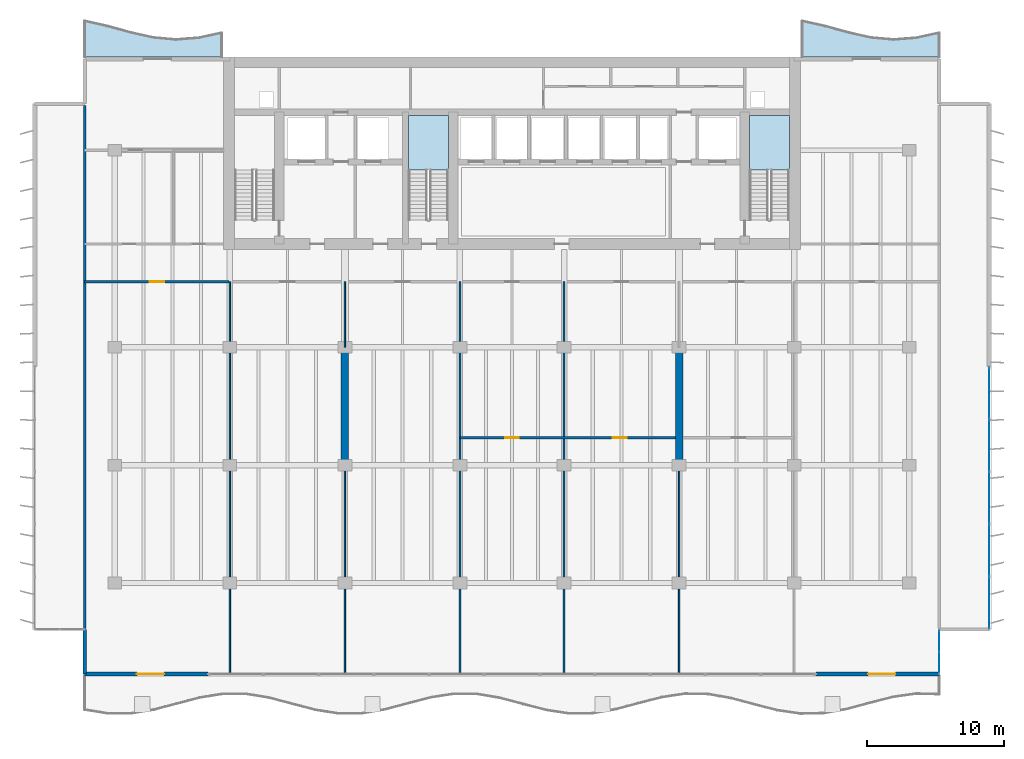
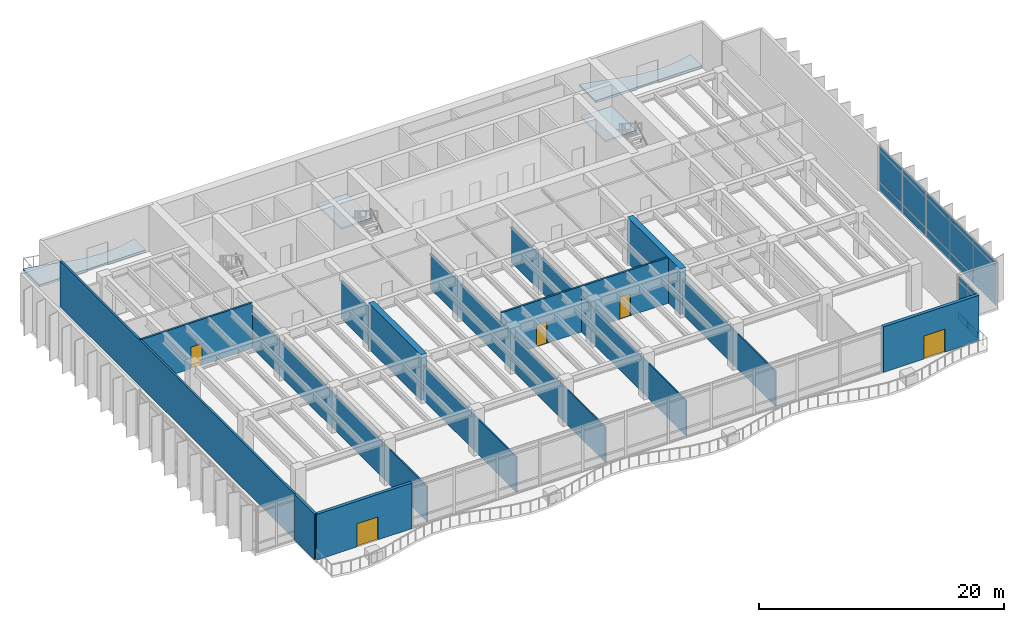
# One storey, part 8 of 16: 21 plates, 14 walls, 5 doors, 4 slabs, 5 openings, 4 elements without a shape of their own.
"""IFC4 building model written with IfcOpenShell, lengths in metres."""

import ifcopenshell
import ifcopenshell.guid

model = None  # the IFC model being written
_history = None  # IfcOwnerHistory: only IFC2X3 demands one
_inside = {}  # id of a spatial element -> (the spatial element, [elements in it])
_under = {}  # id of a project, library or spatial element -> (it, [spatial elements below it])
_declared = {}  # id of a project -> (the project, [libraries it declares])
_typed = {}  # id of a type object -> (the type object, [elements of that type])
_made_of = {}  # id of a material, layer set ... -> (it, [elements and type objects made of it])


def new_model(schema):
    """Start an empty IFC model of exactly this schema.

    Asked for "IFC4X3", IfcOpenShell would pick the latest addendum, in which some entities
    have other attributes; the version numbers below select the first issue.
    IFC2X3 requires an IfcOwnerHistory on every rooted entity: one is made here for all.
    """
    global model, _history
    if schema == "IFC4X3":
        model = ifcopenshell.file(schema_version=(4, 3, 0, 0))
    else:
        model = ifcopenshell.file(schema=schema)
    _inside.clear()
    _under.clear()
    _declared.clear()
    _typed.clear()
    _made_of.clear()
    _history = None
    if model.schema == "IFC2X3":
        org = make("IfcOrganization", Name="unknown")
        user = make(
            "IfcPersonAndOrganization",
            ThePerson=make("IfcPerson", FamilyName="unknown"),
            TheOrganization=org,
        )
        app = make(
            "IfcApplication",
            ApplicationDeveloper=org,
            Version="unknown",
            ApplicationFullName="unknown",
            ApplicationIdentifier="unknown",
        )
        _history = make(
            "IfcOwnerHistory",
            OwningUser=user,
            OwningApplication=app,
            ChangeAction="ADDED",
            CreationDate=0,
        )
    return model


def make(cls, **values):
    """One entity of the class cls with the attributes given. An attribute that is None is left unset."""
    return model.create_entity(
        cls, **{name: value for name, value in values.items() if value is not None}
    )


def rooted(cls, **values):
    """An entity with a GlobalId (a new one), such as an element, a storey or a relation."""
    return make(cls, GlobalId=ifcopenshell.guid.new(), OwnerHistory=_history, **values)


def si_unit(unit_type, name, prefix=None):
    """IfcSIUnit, for example si_unit("LENGTHUNIT", "METRE", prefix="MILLI")."""
    return make("IfcSIUnit", UnitType=unit_type, Prefix=prefix, Name=name)


def assignment(units):
    """IfcUnitAssignment: the units of a project."""
    return None if units is None else make("IfcUnitAssignment", Units=units)


def point(xyz):
    """IfcCartesianPoint."""
    return None if xyz is None else make("IfcCartesianPoint", Coordinates=xyz)


def direction(xyz):
    """IfcDirection."""
    return None if xyz is None else make("IfcDirection", DirectionRatios=xyz)


def frame(location, z_axis=None, x_axis=None):
    """IfcAxis2Placement3D, a coordinate frame: its origin and axes. An axis left out is left unset."""
    return make(
        "IfcAxis2Placement3D",
        Location=point(location),
        Axis=direction(z_axis),
        RefDirection=direction(x_axis),
    )


def frame_2d(location, x_axis=None):
    """IfcAxis2Placement2D, a coordinate frame in the plane: its origin and x axis."""
    return make(
        "IfcAxis2Placement2D", Location=point(location), RefDirection=direction(x_axis)
    )


def origin():
    """The frame at (0, 0, 0) with its axes left unset."""
    return frame((0.0, 0.0, 0.0))


def origin_2d():
    """The frame at (0, 0) in the plane with its x axis left unset."""
    return frame_2d((0.0, 0.0))


def place(relative_to, where):
    """IfcLocalPlacement: puts the frame where relative to a parent placement (None: the world)."""
    return make(
        "IfcLocalPlacement", PlacementRelTo=relative_to, RelativePlacement=where
    )


def context(
    kind, dimensions, precision=None, world=None, true_north=None, identifier=None
):
    """IfcGeometricRepresentationContext, for example the 3D "Model" context."""
    return make(
        "IfcGeometricRepresentationContext",
        ContextIdentifier=identifier,
        ContextType=kind,
        CoordinateSpaceDimension=dimensions,
        Precision=precision,
        WorldCoordinateSystem=world,
        TrueNorth=true_north,
    )


def subcontext(parent, identifier, kind, view, scale=None):
    """IfcGeometricRepresentationSubContext, for example "Body" below "Model"."""
    return make(
        "IfcGeometricRepresentationSubContext",
        ContextIdentifier=identifier,
        ContextType=kind,
        ParentContext=parent,
        TargetScale=scale,
        TargetView=view,
    )


def project(units=None, contexts=None):
    """IfcProject with its units and contexts."""
    return rooted(
        "IfcProject",
        Name="project",
        RepresentationContexts=contexts,
        UnitsInContext=assignment(units),
    )


def spatial(cls, under=None, at=None, **own):
    """A site, building, storey or space (cls), placed at a placement, below another one or the project."""
    s = rooted(cls, ObjectPlacement=at, **own)
    if under is not None:
        _under.setdefault(under.id(), (under, []))[1].append(s)
    return s


def polyline(points):
    """IfcPolyline through the points."""
    return make("IfcPolyline", Points=[point(p) for p in points])


def profile(cls, at=None, kind="AREA", **sizes):
    """A parametric profile (cls). Its sizes go by their IFC names, for example OverallWidth=200.0."""
    return make(cls, ProfileType=kind, Position=at, **sizes)


def rectangle(**sizes):
    """IfcRectangleProfileDef."""
    return profile("IfcRectangleProfileDef", **sizes)


def outline(outer, holes=None, kind="AREA"):
    """IfcArbitraryClosedProfileDef: a profile drawn as a closed curve; with holes, ...WithVoids."""
    if holes is None:
        return make("IfcArbitraryClosedProfileDef", ProfileType=kind, OuterCurve=outer)
    return make(
        "IfcArbitraryProfileDefWithVoids",
        ProfileType=kind,
        OuterCurve=outer,
        InnerCurves=holes,
    )


def extrude(swept, where, along, depth):
    """IfcExtrudedAreaSolid: the profile swept, set in the frame where, extruded along a direction by depth."""
    return make(
        "IfcExtrudedAreaSolid",
        SweptArea=swept,
        Position=where,
        ExtrudedDirection=direction(along),
        Depth=depth,
    )


def shape(context_of_items, identifier, shape_type, items):
    """IfcShapeRepresentation: the items that make up one representation, for example the "Body"."""
    return make(
        "IfcShapeRepresentation",
        ContextOfItems=context_of_items,
        RepresentationIdentifier=identifier,
        RepresentationType=shape_type,
        Items=items,
    )


def material(Name=None, Category=None):
    """IfcMaterial."""
    return make("IfcMaterial", Name=Name, Category=Category)


def layer(
    of_material, thickness, ventilated=None, Name=None, Category=None, Priority=None
):
    """IfcMaterialLayer: one layer of a wall or slab, of a material (None: an air gap)."""
    return make(
        "IfcMaterialLayer",
        Material=of_material,
        LayerThickness=thickness,
        IsVentilated=ventilated,
        Name=Name,
        Category=Category,
        Priority=Priority,
    )


def layer_set(layers, Name=None):
    """IfcMaterialLayerSet."""
    return make("IfcMaterialLayerSet", MaterialLayers=layers, LayerSetName=Name)


def made_of(thing, what):
    """Note that an element or type object is made of a material, layer set ...; save() writes the relation."""
    if what is not None:
        _made_of.setdefault(what.id(), (what, []))[1].append(thing)
    return thing


def type_object(cls, material=None, **own):
    """A type object (cls), such as IfcWallType, which elements share."""
    return made_of(rooted(cls, **own), material)


def element(
    cls,
    number,
    at=None,
    inside=None,
    cuts=None,
    type_object=None,
    material=None,
    context=None,
    identifier="Body",
    shape_type=None,
    held_by="IfcProductDefinitionShape",
    body=None,
    shapes=None,
    **own,
):
    """One element of the class cls, such as IfcWall. Its Tag is "e" and its number.

    at: its placement. inside: the storey or other place that contains it. cuts: it is an
    opening in that element (IfcRelVoidsElement). A single representation is given by context,
    identifier, shape_type and body (its items); several are given by shapes. held_by: the class
    of the entity that holds the representations. save() writes the other relations.
    """
    e = rooted(cls, Tag="e%d" % number, ObjectPlacement=at, **own)
    if body is not None:
        shapes = [shape(context, identifier, shape_type, body)]
    if shapes is not None:
        e.Representation = make(held_by, Representations=shapes)
    if inside is not None:
        _inside.setdefault(inside.id(), (inside, []))[1].append(e)
    if cuts is not None:
        rooted(
            "IfcRelVoidsElement", RelatingBuildingElement=cuts, RelatedOpeningElement=e
        )
    if type_object is not None:
        _typed.setdefault(type_object.id(), (type_object, []))[1].append(e)
    return made_of(e, material)


def fill(opening, filler):
    """IfcRelFillsElement: the door or window that sits in an opening."""
    return rooted(
        "IfcRelFillsElement",
        RelatingOpeningElement=opening,
        RelatedBuildingElement=filler,
    )


def aggregate(whole, parts):
    """IfcRelAggregates: a whole, such as a stair, and the parts it consists of."""
    return rooted("IfcRelAggregates", RelatingObject=whole, RelatedObjects=parts)


def save(model, path):
    """Write the relations noted so far, then the file.

    IfcRelAggregates (storeys below a building ...), IfcRelContainedInSpatialStructure (elements
    in a storey), IfcRelDefinesByType, IfcRelAssociatesMaterial and IfcRelDeclares: one each for
    every whole, place, type object, material and project.
    """
    for whole, parts in _under.values():
        aggregate(whole, parts)
    for where, things in _inside.values():
        rooted(
            "IfcRelContainedInSpatialStructure",
            RelatedElements=things,
            RelatingStructure=where,
        )
    for kind, things in _typed.values():
        rooted("IfcRelDefinesByType", RelatedObjects=things, RelatingType=kind)
    for what, things in _made_of.values():
        rooted("IfcRelAssociatesMaterial", RelatedObjects=things, RelatingMaterial=what)
    for by, libraries in _declared.values():
        rooted("IfcRelDeclares", RelatingContext=by, RelatedDefinitions=libraries)
    model.write(path)


model = new_model("IFC4")

# Units and contexts
model_context = context("Model", 3, precision=1e-05, world=origin(), true_north=direction((0.0, 1.0)))
body_context = subcontext(model_context, "Body", "Model", "MODEL_VIEW")
ifc_project = project(units=[si_unit("LENGTHUNIT", "METRE"), si_unit("AREAUNIT", "SQUARE_METRE"), si_unit("VOLUMEUNIT", "CUBIC_METRE"), si_unit("PLANEANGLEUNIT", "RADIAN"), si_unit("MASSUNIT", "GRAM", prefix="KILO")], contexts=[model_context])

# Site, building, storey
site_placement = place(None, origin())
site = spatial("IfcSite", under=ifc_project, at=site_placement, CompositionType="ELEMENT")
building_placement = place(site_placement, origin())
building = spatial("IfcBuilding", under=site, at=building_placement, Name="Caelmar Bay Residences", CompositionType="ELEMENT")
storey_placement = place(building_placement, frame((0.0, 0.0, 97.800048828125)))
storey = spatial("IfcBuildingStorey", under=building, at=storey_placement, Name="L26", CompositionType="ELEMENT", Elevation=97.800048828125)

# Curtain wall, plates
ifc_material_1 = material(Name="Anodised bronze aluminium 6063-T6 and laminated glass", Category="aluminium")
ifc_layer_1 = layer(ifc_material_1, 0.179931640625)
ifc_layer_set_1 = layer_set([ifc_layer_1], Name="Anodised bronze aluminium 6063-T6 and laminated glass")
curtain_wall_type_1 = type_object("IfcCurtainWallType", Name="CW6-NTC", PredefinedType="NOTDEFINED", material=ifc_layer_set_1)
curtain_wall_1_placement = place(storey_placement, origin())
curtain_wall_1 = element("IfcCurtainWall", 1, at=curtain_wall_1_placement, inside=storey, type_object=curtain_wall_type_1, Name="CW6 curtain wall L26", PredefinedType="NOTDEFINED")
ifc_material_2 = material(Name="Bronze-tinted laminated low-E hurricane glass 28 mm", Category="glass")
ifc_layer_2 = layer(ifc_material_2, 0.028076171875)
ifc_layer_set_2 = layer_set([ifc_layer_2], Name="Bronze-tinted laminated low-E hurricane glass 28 mm")
plate_type_1 = type_object("IfcPlateType", Name="CWP-GLZ28", PredefinedType="CURTAIN_PANEL", material=ifc_layer_set_2)
plate_1_placement = place(storey_placement, frame((70.10009765625, 6.382568359375, 0.080078125), z_axis=(0.0, 0.0, 1.0), x_axis=(0.0, 1.0, 0.0)))
plate_1 = element("IfcPlate", 2, at=plate_1_placement, type_object=plate_type_1, Name="CW6 panel 1.1", PredefinedType="CURTAIN_PANEL", context=body_context, shape_type="SweptSolid", body=[
    extrude(rectangle(XDim=1.5048828125, YDim=0.028076171875, at=origin_2d()), origin(), (0.0, 0.0, 1.0), 0.780029296875),
])
plate_2_placement = place(storey_placement, frame((70.10009765625, 6.382568359375, 0.93994140625), z_axis=(0.0, 0.0, 1.0), x_axis=(0.0, 1.0, 0.0)))
plate_2 = element("IfcPlate", 3, at=plate_2_placement, type_object=plate_type_1, Name="CW6 panel 1.2", PredefinedType="CURTAIN_PANEL", context=body_context, shape_type="SweptSolid", body=[
    extrude(rectangle(XDim=1.5048828125, YDim=0.028076171875, at=origin_2d()), origin(), (0.0, 0.0, 1.0), 3.02001953125),
])
plate_3_placement = place(storey_placement, frame((70.10009765625, 6.382568359375, 4.0400390625), z_axis=(0.0, 0.0, 1.0), x_axis=(0.0, 1.0, 0.0)))
plate_3 = element("IfcPlate", 4, at=plate_3_placement, type_object=plate_type_1, Name="CW6 panel 1.3", PredefinedType="CURTAIN_PANEL", context=body_context, shape_type="SweptSolid", body=[
    extrude(rectangle(XDim=1.5048828125, YDim=0.028076171875, at=origin_2d()), origin(), (0.0, 0.0, 1.0), 0.429931640625),
])
plate_4_placement = place(storey_placement, frame((70.10009765625, 7.967529296875, 0.080078125), z_axis=(0.0, 0.0, 1.0), x_axis=(0.0, 1.0, 0.0)))
plate_4 = element("IfcPlate", 5, at=plate_4_placement, type_object=plate_type_1, Name="CW6 panel 2.1", PredefinedType="CURTAIN_PANEL", context=body_context, shape_type="SweptSolid", body=[
    extrude(rectangle(XDim=1.5048828125, YDim=0.028076171875, at=origin_2d()), origin(), (0.0, 0.0, 1.0), 0.780029296875),
])
plate_5_placement = place(storey_placement, frame((70.10009765625, 7.967529296875, 0.93994140625), z_axis=(0.0, 0.0, 1.0), x_axis=(0.0, 1.0, 0.0)))
plate_5 = element("IfcPlate", 6, at=plate_5_placement, type_object=plate_type_1, Name="CW6 panel 2.2", PredefinedType="CURTAIN_PANEL", context=body_context, shape_type="SweptSolid", body=[
    extrude(rectangle(XDim=1.5048828125, YDim=0.028076171875, at=origin_2d()), origin(), (0.0, 0.0, 1.0), 3.02001953125),
])
plate_6_placement = place(storey_placement, frame((70.10009765625, 7.967529296875, 4.0400390625), z_axis=(0.0, 0.0, 1.0), x_axis=(0.0, 1.0, 0.0)))
plate_6 = element("IfcPlate", 7, at=plate_6_placement, type_object=plate_type_1, Name="CW6 panel 2.3", PredefinedType="CURTAIN_PANEL", context=body_context, shape_type="SweptSolid", body=[
    extrude(rectangle(XDim=1.5048828125, YDim=0.028076171875, at=origin_2d()), origin(), (0.0, 0.0, 1.0), 0.429931640625),
])
aggregate(curtain_wall_1, [plate_1, plate_2, plate_3, plate_4, plate_5, plate_6])

ifc_layer_3 = layer(ifc_material_1, 0.179931640625)
ifc_layer_set_3 = layer_set([ifc_layer_3], Name="Anodised bronze aluminium 6063-T6 and laminated glass")
curtain_wall_type_2 = type_object("IfcCurtainWallType", Name="CW7-CRN", PredefinedType="NOTDEFINED", material=ifc_layer_set_3)
curtain_wall_2_placement = place(storey_placement, origin())
curtain_wall_2 = element("IfcCurtainWall", 8, at=curtain_wall_2_placement, inside=storey, type_object=curtain_wall_type_2, Name="CW7 curtain wall L26", PredefinedType="NOTDEFINED")
ifc_material_3 = material(Name="Bronze-tinted laminated low-E hurricane glass 32 mm", Category="glass")
ifc_layer_4 = layer(ifc_material_3, 0.031982421875)
ifc_layer_set_4 = layer_set([ifc_layer_4], Name="Bronze-tinted laminated low-E hurricane glass 32 mm")
plate_type_2 = type_object("IfcPlateType", Name="CWP-GLZ32", PredefinedType="CURTAIN_PANEL", material=ifc_layer_set_4)
plate_7_placement = place(storey_placement, frame((73.75, 26.06005859375, 0.080078125), z_axis=(0.0, 0.0, 1.0), x_axis=(0.0, -1.0, 0.0)))
plate_7 = element("IfcPlate", 9, at=plate_7_placement, type_object=plate_type_2, Name="CW7 panel 1.1", PredefinedType="CURTAIN_PANEL", context=body_context, shape_type="SweptSolid", body=[
    extrude(rectangle(XDim=3.719970703125, YDim=0.031982421875, at=origin_2d()), origin(), (0.0, 0.0, 1.0), 0.780029296875),
])
plate_8_placement = place(storey_placement, frame((73.75, 26.06005859375, 0.93994140625), z_axis=(0.0, 0.0, 1.0), x_axis=(0.0, -1.0, 0.0)))
plate_8 = element("IfcPlate", 10, at=plate_8_placement, type_object=plate_type_2, Name="CW7 panel 1.2", PredefinedType="CURTAIN_PANEL", context=body_context, shape_type="SweptSolid", body=[
    extrude(rectangle(XDim=3.719970703125, YDim=0.031982421875, at=origin_2d()), origin(), (0.0, 0.0, 1.0), 3.02001953125),
])
plate_9_placement = place(storey_placement, frame((73.75, 26.06005859375, 4.0400390625), z_axis=(0.0, 0.0, 1.0), x_axis=(0.0, -1.0, 0.0)))
plate_9 = element("IfcPlate", 11, at=plate_9_placement, type_object=plate_type_2, Name="CW7 panel 1.3", PredefinedType="CURTAIN_PANEL", context=body_context, shape_type="SweptSolid", body=[
    extrude(rectangle(XDim=3.719970703125, YDim=0.031982421875, at=origin_2d()), origin(), (0.0, 0.0, 1.0), 0.429931640625),
])
plate_10_placement = place(storey_placement, frame((73.75, 22.239990234375, 0.080078125), z_axis=(0.0, 0.0, 1.0), x_axis=(0.0, -1.0, 0.0)))
plate_10 = element("IfcPlate", 12, at=plate_10_placement, type_object=plate_type_2, Name="CW7 panel 2.1", PredefinedType="CURTAIN_PANEL", context=body_context, shape_type="SweptSolid", body=[
    extrude(rectangle(XDim=3.760009765625, YDim=0.031982421875, at=origin_2d()), origin(), (0.0, 0.0, 1.0), 0.780029296875),
])
plate_11_placement = place(storey_placement, frame((73.75, 22.239990234375, 0.93994140625), z_axis=(0.0, 0.0, 1.0), x_axis=(0.0, -1.0, 0.0)))
plate_11 = element("IfcPlate", 13, at=plate_11_placement, type_object=plate_type_2, Name="CW7 panel 2.2", PredefinedType="CURTAIN_PANEL", context=body_context, shape_type="SweptSolid", body=[
    extrude(rectangle(XDim=3.760009765625, YDim=0.031982421875, at=origin_2d()), origin(), (0.0, 0.0, 1.0), 3.02001953125),
])
plate_12_placement = place(storey_placement, frame((73.75, 22.239990234375, 4.0400390625), z_axis=(0.0, 0.0, 1.0), x_axis=(0.0, -1.0, 0.0)))
plate_12 = element("IfcPlate", 14, at=plate_12_placement, type_object=plate_type_2, Name="CW7 panel 2.3", PredefinedType="CURTAIN_PANEL", context=body_context, shape_type="SweptSolid", body=[
    extrude(rectangle(XDim=3.760009765625, YDim=0.031982421875, at=origin_2d()), origin(), (0.0, 0.0, 1.0), 0.429931640625),
])
plate_13_placement = place(storey_placement, frame((73.75, 18.39990234375, 0.080078125), z_axis=(0.0, 0.0, 1.0), x_axis=(0.0, -1.0, 0.0)))
plate_13 = element("IfcPlate", 15, at=plate_13_placement, type_object=plate_type_2, Name="CW7 panel 3.1", PredefinedType="CURTAIN_PANEL", context=body_context, shape_type="SweptSolid", body=[
    extrude(rectangle(XDim=3.760009765625, YDim=0.031982421875, at=origin_2d()), origin(), (0.0, 0.0, 1.0), 0.780029296875),
])
plate_14_placement = place(storey_placement, frame((73.75, 18.39990234375, 0.93994140625), z_axis=(0.0, 0.0, 1.0), x_axis=(0.0, -1.0, 0.0)))
plate_14 = element("IfcPlate", 16, at=plate_14_placement, type_object=plate_type_2, Name="CW7 panel 3.2", PredefinedType="CURTAIN_PANEL", context=body_context, shape_type="SweptSolid", body=[
    extrude(rectangle(XDim=3.760009765625, YDim=0.031982421875, at=origin_2d()), origin(), (0.0, 0.0, 1.0), 3.02001953125),
])
plate_15_placement = place(storey_placement, frame((73.75, 18.39990234375, 4.0400390625), z_axis=(0.0, 0.0, 1.0), x_axis=(0.0, -1.0, 0.0)))
plate_15 = element("IfcPlate", 17, at=plate_15_placement, type_object=plate_type_2, Name="CW7 panel 3.3", PredefinedType="CURTAIN_PANEL", context=body_context, shape_type="SweptSolid", body=[
    extrude(rectangle(XDim=3.760009765625, YDim=0.031982421875, at=origin_2d()), origin(), (0.0, 0.0, 1.0), 0.429931640625),
])
plate_16_placement = place(storey_placement, frame((73.75, 14.56005859375, 0.080078125), z_axis=(0.0, 0.0, 1.0), x_axis=(0.0, -1.0, 0.0)))
plate_16 = element("IfcPlate", 18, at=plate_16_placement, type_object=plate_type_2, Name="CW7 panel 4.1", PredefinedType="CURTAIN_PANEL", context=body_context, shape_type="SweptSolid", body=[
    extrude(rectangle(XDim=3.760009765625, YDim=0.031982421875, at=origin_2d()), origin(), (0.0, 0.0, 1.0), 0.780029296875),
])
plate_17_placement = place(storey_placement, frame((73.75, 14.56005859375, 0.93994140625), z_axis=(0.0, 0.0, 1.0), x_axis=(0.0, -1.0, 0.0)))
plate_17 = element("IfcPlate", 19, at=plate_17_placement, type_object=plate_type_2, Name="CW7 panel 4.2", PredefinedType="CURTAIN_PANEL", context=body_context, shape_type="SweptSolid", body=[
    extrude(rectangle(XDim=3.760009765625, YDim=0.031982421875, at=origin_2d()), origin(), (0.0, 0.0, 1.0), 3.02001953125),
])
plate_18_placement = place(storey_placement, frame((73.75, 14.56005859375, 4.0400390625), z_axis=(0.0, 0.0, 1.0), x_axis=(0.0, -1.0, 0.0)))
plate_18 = element("IfcPlate", 20, at=plate_18_placement, type_object=plate_type_2, Name="CW7 panel 4.3", PredefinedType="CURTAIN_PANEL", context=body_context, shape_type="SweptSolid", body=[
    extrude(rectangle(XDim=3.760009765625, YDim=0.031982421875, at=origin_2d()), origin(), (0.0, 0.0, 1.0), 0.429931640625),
])
plate_19_placement = place(storey_placement, frame((73.75, 10.739990234375, 0.080078125), z_axis=(0.0, 0.0, 1.0), x_axis=(0.0, -1.0, 0.0)))
plate_19 = element("IfcPlate", 21, at=plate_19_placement, type_object=plate_type_2, Name="CW7 panel 5.1", PredefinedType="CURTAIN_PANEL", context=body_context, shape_type="SweptSolid", body=[
    extrude(rectangle(XDim=3.719970703125, YDim=0.031982421875, at=origin_2d()), origin(), (0.0, 0.0, 1.0), 0.780029296875),
])
plate_20_placement = place(storey_placement, frame((73.75, 10.739990234375, 0.93994140625), z_axis=(0.0, 0.0, 1.0), x_axis=(0.0, -1.0, 0.0)))
plate_20 = element("IfcPlate", 22, at=plate_20_placement, type_object=plate_type_2, Name="CW7 panel 5.2", PredefinedType="CURTAIN_PANEL", context=body_context, shape_type="SweptSolid", body=[
    extrude(rectangle(XDim=3.719970703125, YDim=0.031982421875, at=origin_2d()), origin(), (0.0, 0.0, 1.0), 3.02001953125),
])
plate_21_placement = place(storey_placement, frame((73.75, 10.739990234375, 4.0400390625), z_axis=(0.0, 0.0, 1.0), x_axis=(0.0, -1.0, 0.0)))
plate_21 = element("IfcPlate", 23, at=plate_21_placement, type_object=plate_type_2, Name="CW7 panel 5.3", PredefinedType="CURTAIN_PANEL", context=body_context, shape_type="SweptSolid", body=[
    extrude(rectangle(XDim=3.719970703125, YDim=0.031982421875, at=origin_2d()), origin(), (0.0, 0.0, 1.0), 0.429931640625),
])
aggregate(curtain_wall_2, [plate_7, plate_8, plate_9, plate_10, plate_11, plate_12, plate_13, plate_14, plate_15, plate_16, plate_17, plate_18, plate_19, plate_20, plate_21])

# Slabs
ifc_material_4 = material(Name="Concrete f'c 40 MPa (6,000 psi)", Category="concrete")
ifc_layer_5 = layer(ifc_material_4, 0.219970703125)
ifc_layer_set_5 = layer_set([ifc_layer_5], Name="Concrete f'c 40 MPa (6,000 psi)")
slab_type_1 = type_object("IfcSlabType", Name="SLB-BAL-220", PredefinedType="FLOOR", material=ifc_layer_set_5)
slab_1_placement = place(storey_placement, frame((0.0, 0.0, -0.219970703125)))
element("IfcSlab", 24, at=slab_1_placement, inside=storey, type_object=slab_type_1, Name="L26 Sinusoidal Tree-Balcony Slab north_west", PredefinedType="FLOOR", context=body_context, shape_type="SweptSolid", body=[
    extrude(outline(polyline([(7.699951171875, 50.60009765625), (17.699951171875, 50.60009765625), (17.699951171875, 52.447021484375), (16.033203125, 52.08251953125), (14.36669921875, 51.9501953125), (12.699951171875, 52.099853515625), (11.033203125, 52.475341796875), (9.36669921875, 52.935302734375), (7.699951171875, 53.306884765625), (7.699951171875, 50.60009765625)])), origin(), (0.0, 0.0, 1.0), 0.219970703125),
])
slab_2_placement = place(storey_placement, frame((0.0, 0.0, -0.219970703125)))
element("IfcSlab", 25, at=slab_2_placement, inside=storey, type_object=slab_type_1, Name="L26 Sinusoidal Tree-Balcony Slab north_east", PredefinedType="FLOOR", context=body_context, shape_type="SweptSolid", body=[
    extrude(outline(polyline([(60.10009765625, 50.60009765625), (70.10009765625, 50.60009765625), (70.10009765625, 52.447021484375), (68.433349609375, 52.08251953125), (66.7666015625, 51.9501953125), (65.10009765625, 52.099853515625), (63.433349609375, 52.475341796875), (61.7666015625, 52.935302734375), (60.10009765625, 53.306884765625), (60.10009765625, 50.60009765625)])), origin(), (0.0, 0.0, 1.0), 0.219970703125),
])

# Stair, slab
stair_type = type_object("IfcStairType", Name="ST-TAL-170", PredefinedType="HALF_TURN_STAIR", material=ifc_material_4)
stair_1_placement = place(storey_placement, origin())
stair_1 = element("IfcStair", 26, at=stair_1_placement, inside=storey, type_object=stair_type, Name="L26 East Smokeproof Exit Stair ST2", PredefinedType="HALF_TURN_STAIR")
ifc_layer_6 = layer(ifc_material_4, 0.199951171875)
ifc_layer_set_6 = layer_set([ifc_layer_6], Name="Concrete f'c 40 MPa (6,000 psi)")
slab_type_2 = type_object("IfcSlabType", Name="SLB-LND-200", PredefinedType="LANDING", material=ifc_layer_set_6)
slab_3_placement = place(storey_placement, frame((0.0, 0.0, 2.199951171875)))
slab_3 = element("IfcSlab", 27, at=slab_3_placement, type_object=slab_type_2, Name="ST2 landing 1", PredefinedType="LANDING", context=body_context, shape_type="SweptSolid", body=[
    extrude(outline(polyline([(59.14990234375, 42.340087890625), (59.14990234375, 46.35009765625), (56.25, 46.35009765625), (56.25, 42.340087890625), (59.14990234375, 42.340087890625)])), origin(), (0.0, 0.0, 1.0), 0.199951171875),
])
aggregate(stair_1, [slab_3])

stair_2_placement = place(storey_placement, origin())
stair_2 = element("IfcStair", 28, at=stair_2_placement, inside=storey, type_object=stair_type, Name="L26 Central Smokeproof Exit Stair ST3", PredefinedType="HALF_TURN_STAIR")
slab_4_placement = place(storey_placement, frame((0.0, 0.0, 2.199951171875)))
slab_4 = element("IfcSlab", 29, at=slab_4_placement, type_object=slab_type_2, Name="ST3 landing 1", PredefinedType="LANDING", context=body_context, shape_type="SweptSolid", body=[
    extrude(outline(polyline([(34.25, 42.340087890625), (34.25, 46.35009765625), (31.35009765625, 46.35009765625), (31.35009765625, 42.340087890625), (34.25, 42.340087890625)])), origin(), (0.0, 0.0, 1.0), 0.199951171875),
])
aggregate(stair_2, [slab_4])

# Walls
ifc_material_5 = material(Name="Concrete f'c 70 MPa (10,000 psi)", Category="concrete")
ifc_layer_7 = layer(ifc_material_5, 0.550048828125)
ifc_layer_set_7 = layer_set([ifc_layer_7], Name="Concrete f'c 70 MPa (10,000 psi)")
wall_type_1 = type_object("IfcWallType", Name="SW-XSLB-550", PredefinedType="SHEAR", material=ifc_layer_set_7)
for number, where, z_axis, x_axis, name in (
    (30, (26.699951171875, 20.800048828125, 0.0), (0.0, 0.0, 1.0), (0.0, 1.0, 0.0), "L26 Transverse Cross-Slab Shear Wall W5"),
    (31, (51.10009765625, 20.800048828125, 0.0), (0.0, 0.0, 1.0), (0.0, 1.0, 0.0), "L26 Transverse Cross-Slab Shear Wall E8"),
):
    element("IfcWall", number, at=place(storey_placement, frame(where, z_axis=z_axis, x_axis=x_axis)), inside=storey, type_object=wall_type_1, Name=name, PredefinedType="SHEAR", context=body_context, shape_type="SweptSolid", body=[
        extrude(rectangle(XDim=8.599853515625, YDim=0.550048828125, at=frame_2d((4.2998046875, 0.0))), origin(), (0.0, 0.0, 1.0), 4.550048828125),
    ])
ifc_material_6 = material(Name="Double-stud acoustic fire-rated gypsum partition 180 mm")
ifc_layer_8 = layer(ifc_material_6, 0.179931640625)
ifc_layer_set_8 = layer_set([ifc_layer_8], Name="Double-stud acoustic fire-rated gypsum partition 180 mm")
wall_type_2 = type_object("IfcWallType", Name="W-COR-200", PredefinedType="PARTITIONING", material=ifc_layer_set_8)
wall_1_placement = place(storey_placement, frame((7.699951171875, 8.885009765625, 0.0), z_axis=(0.0, 0.0, 1.0), x_axis=(0.0, 1.0, 0.0)))
element("IfcWall", 32, at=wall_1_placement, inside=storey, type_object=wall_type_2, Name="L26 Partition Wall V001", PredefinedType="PARTITIONING", context=body_context, shape_type="SweptSolid", body=[
    extrude(rectangle(XDim=38.195068359375, YDim=0.179931640625, at=frame_2d((19.09765625, 0.0))), origin(), (0.0, 0.0, 1.0), 4.550048828125),
])

# Wall, openings, doors
wall_2_placement = place(storey_placement, frame((35.10009765625, 22.800048828125, 0.0), z_axis=(0.0, 0.0, 1.0), x_axis=(1.0, 0.0, 0.0)))
wall_2 = element("IfcWall", 33, at=wall_2_placement, inside=storey, type_object=wall_type_2, Name="L26 Partition Wall H029", PredefinedType="PARTITIONING", context=body_context, shape_type="SweptSolid", body=[
    extrude(rectangle(XDim=15.72998046875, YDim=0.179931640625, at=frame_2d((7.864990234375, 0.0))), origin(), (0.0, 0.0, 1.0), 4.550048828125),
])
opening_1_placement = place(wall_2_placement, frame((3.300048828125, 0.0, 0.0)))
opening_1 = element("IfcOpeningElement", 34, at=opening_1_placement, cuts=wall_2, Name="Opening D-L26-136", PredefinedType="OPENING", context=body_context, shape_type="SweptSolid", body=[
    extrude(rectangle(XDim=1.0, YDim=2.199951171875, at=frame_2d((0.5, 1.10009765625))), frame((0.0, 0.099853515625, 0.0), z_axis=(0.0, -1.0, 0.0), x_axis=(1.0, 0.0, 0.0)), (0.0, 0.0, 1.0), 0.199951171875),
])
opening_2_placement = place(wall_2_placement, frame((11.1650390625, 0.0, 0.0)))
opening_2 = element("IfcOpeningElement", 35, at=opening_2_placement, cuts=wall_2, Name="Opening D-L26-137", PredefinedType="OPENING", context=body_context, shape_type="SweptSolid", body=[
    extrude(rectangle(XDim=1.0, YDim=2.199951171875, at=frame_2d((0.5, 1.10009765625))), frame((0.0, 0.099853515625, 0.0), z_axis=(0.0, -1.0, 0.0), x_axis=(1.0, 0.0, 0.0)), (0.0, 0.0, 1.0), 0.199951171875),
])
ifc_material_7 = material(Name="Fire-rated steel and walnut architectural door assembly", Category="steel")
ifc_layer_9 = layer(ifc_material_7, 0.050048828125)
ifc_layer_set_9 = layer_set([ifc_layer_9], Name="Fire-rated steel and walnut architectural door assembly")
door_type_1 = type_object("IfcDoorType", Name="D-UNIT-1000", OperationType="NOTDEFINED", PredefinedType="DOOR", material=ifc_layer_set_9)
door_1_placement = place(opening_1_placement, origin())
door_1 = element("IfcDoor", 36, at=door_1_placement, inside=storey, type_object=door_type_1, Name="L26 Sky Lobby 1 Executive Study Door", OperationType="SINGLE_SWING_LEFT", OverallHeight=2.199951171875, OverallWidth=1.0, PredefinedType="DOOR", context=body_context, shape_type="SweptSolid", body=[
    extrude(rectangle(XDim=1.0, YDim=2.199951171875, at=frame_2d((0.5, 1.10009765625))), frame((0.0, 0.02490234375, 0.0), z_axis=(0.0, -1.0, 0.0), x_axis=(1.0, 0.0, 0.0)), (0.0, 0.0, 1.0), 0.050048828125),
])
fill(opening_1, door_1)
door_2_placement = place(opening_2_placement, origin())
door_2 = element("IfcDoor", 37, at=door_2_placement, inside=storey, type_object=door_type_1, Name="L26 Sky Lobby 1 Reading Room Door", OperationType="SINGLE_SWING_RIGHT", OverallHeight=2.199951171875, OverallWidth=1.0, PredefinedType="DOOR", context=body_context, shape_type="SweptSolid", body=[
    extrude(rectangle(XDim=1.0, YDim=2.199951171875, at=frame_2d((0.5, 1.10009765625))), frame((0.0, 0.02490234375, 0.0), z_axis=(0.0, -1.0, 0.0), x_axis=(1.0, 0.0, 0.0)), (0.0, 0.0, 1.0), 0.050048828125),
])
fill(opening_2, door_2)

# Wall, opening, door
wall_3_placement = place(storey_placement, frame((7.699951171875, 34.199951171875, 0.0), z_axis=(0.0, 0.0, 1.0), x_axis=(1.0, 0.0, 0.0)))
wall_3 = element("IfcWall", 38, at=wall_3_placement, inside=storey, type_object=wall_type_2, Name="L26 Partition Wall H031", PredefinedType="PARTITIONING", context=body_context, shape_type="SweptSolid", body=[
    extrude(rectangle(XDim=10.550048828125, YDim=0.179931640625, at=frame_2d((5.27490234375, 0.0))), origin(), (0.0, 0.0, 1.0), 4.550048828125),
])
opening_3_placement = place(wall_3_placement, frame((4.75, 0.0, 0.0)))
opening_3 = element("IfcOpeningElement", 39, at=opening_3_placement, cuts=wall_3, Name="Opening D-L26-128", PredefinedType="OPENING", context=body_context, shape_type="SweptSolid", body=[
    extrude(rectangle(XDim=1.050048828125, YDim=2.14990234375, at=frame_2d((0.52490234375, 1.074951171875))), frame((0.0, 0.099853515625, 0.0), z_axis=(0.0, -1.0, 0.0), x_axis=(1.0, 0.0, 0.0)), (0.0, 0.0, 1.0), 0.199951171875),
])
ifc_layer_10 = layer(ifc_material_7, 0.050048828125)
ifc_layer_set_10 = layer_set([ifc_layer_10], Name="Fire-rated steel and walnut architectural door assembly")
door_type_2 = type_object("IfcDoorType", Name="D-FSAE-1050", OperationType="NOTDEFINED", PredefinedType="DOOR", material=ifc_layer_set_10)
door_3_placement = place(opening_3_placement, origin())
door_3 = element("IfcDoor", 40, at=door_3_placement, inside=storey, type_object=door_type_2, Name="L26 Sky Lobby 1 Co-Working Suite Door", OperationType="SINGLE_SWING_LEFT", OverallHeight=2.14990234375, OverallWidth=1.050048828125, PredefinedType="DOOR", context=body_context, shape_type="SweptSolid", body=[
    extrude(rectangle(XDim=1.050048828125, YDim=2.14990234375, at=frame_2d((0.52490234375, 1.074951171875))), frame((0.0, 0.02490234375, 0.0), z_axis=(0.0, -1.0, 0.0), x_axis=(1.0, 0.0, 0.0)), (0.0, 0.0, 1.0), 0.050048828125),
])
fill(opening_3, door_3)

# Wall
ifc_material_8 = material(Name="Precast concrete f'c 40 MPa (6,000 psi)", Category="concrete")
ifc_layer_11 = layer(ifc_material_8, 0.25)
ifc_layer_set_11 = layer_set([ifc_layer_11], Name="Precast concrete f'c 40 MPa (6,000 psi)")
wall_type_3 = type_object("IfcWallType", Name="W-EXT-250", PredefinedType="ELEMENTEDWALL", material=ifc_layer_set_11)
wall_4_placement = place(storey_placement, frame((7.699951171875, 8.800048828125, 0.0), z_axis=(0.0, 0.0, 1.0), x_axis=(0.0, -1.0, 0.0)))
element("IfcWall", 41, at=wall_4_placement, inside=storey, type_object=wall_type_3, Name="L26 SW Notch Return Wall", PredefinedType="ELEMENTEDWALL", context=body_context, shape_type="SweptSolid", body=[
    extrude(rectangle(XDim=3.25, YDim=0.25, at=frame_2d((1.625, 0.0))), origin(), (0.0, 0.0, 1.0), 4.550048828125),
])

# Wall, opening, door
ifc_layer_12 = layer(ifc_material_8, 0.300048828125)
ifc_layer_set_12 = layer_set([ifc_layer_12], Name="Precast concrete f'c 40 MPa (6,000 psi)")
wall_type_4 = type_object("IfcWallType", Name="W-EXT-300", PredefinedType="STANDARD", material=ifc_layer_set_12)
wall_5_placement = place(storey_placement, frame((70.10009765625, 5.550048828125, 0.0), z_axis=(0.0, 0.0, 1.0), x_axis=(-1.0, 0.0, 0.0)))
wall_5 = element("IfcWall", 42, at=wall_5_placement, inside=storey, type_object=wall_type_4, Name="L26 South-East Pier Wall", PredefinedType="STANDARD", context=body_context, shape_type="SweptSolid", body=[
    extrude(rectangle(XDim=9.0, YDim=0.300048828125, at=frame_2d((4.5, 0.0))), origin(), (0.0, 0.0, 1.0), 4.550048828125),
])
opening_4_placement = place(wall_5_placement, frame((3.199951171875, 0.0, 0.0)))
opening_4 = element("IfcOpeningElement", 43, at=opening_4_placement, cuts=wall_5, Name="Opening L26-BD02", PredefinedType="OPENING", context=body_context, shape_type="SweptSolid", body=[
    extrude(rectangle(XDim=2.0, YDim=2.300048828125, at=frame_2d((1.0, 1.14990234375))), frame((0.0, 0.159912109375, 0.0), z_axis=(0.0, -1.0, 0.0), x_axis=(1.0, 0.0, 0.0)), (0.0, 0.0, 1.0), 0.320068359375),
])
ifc_material_9 = material(Name="Anodised bronze thermally broken sliding glass door", Category="glass")
ifc_layer_13 = layer(ifc_material_9, 0.050048828125)
ifc_layer_set_13 = layer_set([ifc_layer_13], Name="Anodised bronze thermally broken sliding glass door")
door_type_3 = type_object("IfcDoorType", Name="D-BAL-2000", OperationType="DOUBLE_DOOR_SLIDING", PredefinedType="DOOR", material=ifc_layer_set_13)
door_4_placement = place(opening_4_placement, origin())
door_4 = element("IfcDoor", 44, at=door_4_placement, inside=storey, type_object=door_type_3, Name="L26 Sky Terrace Door East", OperationType="DOUBLE_DOOR_SLIDING", OverallHeight=2.300048828125, OverallWidth=2.0, PredefinedType="DOOR", context=body_context, shape_type="SweptSolid", body=[
    extrude(rectangle(XDim=2.0, YDim=2.300048828125, at=frame_2d((1.0, 1.14990234375))), frame((0.0, 0.02490234375, 0.0), z_axis=(0.0, -1.0, 0.0), x_axis=(1.0, 0.0, 0.0)), (0.0, 0.0, 1.0), 0.050048828125),
])
fill(opening_4, door_4)

wall_6_placement = place(storey_placement, frame((16.699951171875, 5.550048828125, 0.0), z_axis=(0.0, 0.0, 1.0), x_axis=(-1.0, 0.0, 0.0)))
wall_6 = element("IfcWall", 45, at=wall_6_placement, inside=storey, type_object=wall_type_4, Name="L26 South-West Pier Wall", PredefinedType="STANDARD", context=body_context, shape_type="SweptSolid", body=[
    extrude(rectangle(XDim=9.0, YDim=0.300048828125, at=frame_2d((4.5, 0.0))), origin(), (0.0, 0.0, 1.0), 4.550048828125),
])
opening_5_placement = place(wall_6_placement, frame((3.199951171875, 0.0, 0.0)))
opening_5 = element("IfcOpeningElement", 46, at=opening_5_placement, cuts=wall_6, Name="Opening L26-BD01", PredefinedType="OPENING", context=body_context, shape_type="SweptSolid", body=[
    extrude(rectangle(XDim=2.0, YDim=2.300048828125, at=frame_2d((1.0, 1.14990234375))), frame((0.0, 0.159912109375, 0.0), z_axis=(0.0, -1.0, 0.0), x_axis=(1.0, 0.0, 0.0)), (0.0, 0.0, 1.0), 0.320068359375),
])
door_5_placement = place(opening_5_placement, origin())
door_5 = element("IfcDoor", 47, at=door_5_placement, inside=storey, type_object=door_type_3, Name="L26 Sky Terrace Door West", OperationType="DOUBLE_DOOR_SLIDING", OverallHeight=2.300048828125, OverallWidth=2.0, PredefinedType="DOOR", context=body_context, shape_type="SweptSolid", body=[
    extrude(rectangle(XDim=2.0, YDim=2.300048828125, at=frame_2d((1.0, 1.14990234375))), frame((0.0, 0.02490234375, 0.0), z_axis=(0.0, -1.0, 0.0), x_axis=(1.0, 0.0, 0.0)), (0.0, 0.0, 1.0), 0.050048828125),
])
fill(opening_5, door_5)

# Walls
ifc_material_10 = material(Name="Acoustic metal-stud gypsum partition 120 mm")
ifc_layer_14 = layer(ifc_material_10, 0.1201171875)
ifc_layer_set_14 = layer_set([ifc_layer_14], Name="Acoustic metal-stud gypsum partition 120 mm")
wall_type_5 = type_object("IfcWallType", Name="W-PRT-120", PredefinedType="PARTITIONING", material=ifc_layer_set_14)
wall_7_placement = place(storey_placement, frame((18.300048828125, 5.655029296875, 0.0), z_axis=(0.0, 0.0, 1.0), x_axis=(0.0, 1.0, 0.0)))
element("IfcWall", 48, at=wall_7_placement, inside=storey, type_object=wall_type_5, Name="L26 Partition Wall V003", PredefinedType="PARTITIONING", context=body_context, shape_type="SweptSolid", body=[
    extrude(rectangle(XDim=28.544921875, YDim=0.1201171875, at=frame_2d((14.2724609375, 0.0))), origin(), (0.0, 0.0, 1.0), 3.513916015625),
])
wall_8_placement = place(storey_placement, frame((26.699951171875, 5.655029296875, 0.0), z_axis=(0.0, 0.0, 1.0), x_axis=(0.0, 1.0, 0.0)))
element("IfcWall", 49, at=wall_8_placement, inside=storey, type_object=wall_type_5, Name="L26 Partition Wall V006", PredefinedType="PARTITIONING", context=body_context, shape_type="SweptSolid", body=[
    extrude(rectangle(XDim=15.139892578125, YDim=0.1201171875, at=frame_2d((7.56982421875, 0.0))), origin(), (0.0, 0.0, 1.0), 3.513916015625),
])
wall_9_placement = place(storey_placement, frame((26.699951171875, 29.405029296875, 0.0), z_axis=(0.0, 0.0, 1.0), x_axis=(0.0, 1.0, 0.0)))
element("IfcWall", 50, at=wall_9_placement, inside=storey, type_object=wall_type_5, Name="L26 Partition Wall V007", PredefinedType="PARTITIONING", context=body_context, shape_type="SweptSolid", body=[
    extrude(rectangle(XDim=4.794921875, YDim=0.1201171875, at=frame_2d((2.3974609375, 0.0))), origin(), (0.0, 0.0, 1.0), 3.8349609375),
])
for number, where, z_axis, x_axis, name in (
    (51, (35.10009765625, 5.655029296875, 0.0), (0.0, 0.0, 1.0), (0.0, 1.0, 0.0), "L26 Partition Wall V011"),
    (52, (42.699951171875, 5.655029296875, 0.0), (0.0, 0.0, 1.0), (0.0, 1.0, 0.0), "L26 Partition Wall V015"),
):
    element("IfcWall", number, at=place(storey_placement, frame(where, z_axis=z_axis, x_axis=x_axis)), inside=storey, type_object=wall_type_5, Name=name, PredefinedType="PARTITIONING", context=body_context, shape_type="SweptSolid", body=[
        extrude(rectangle(XDim=28.544921875, YDim=0.1201171875, at=frame_2d((14.2724609375, 0.0))), origin(), (0.0, 0.0, 1.0), 3.513916015625),
    ])
wall_10_placement = place(storey_placement, frame((51.10009765625, 5.655029296875, 0.0), z_axis=(0.0, 0.0, 1.0), x_axis=(0.0, 1.0, 0.0)))
element("IfcWall", 53, at=wall_10_placement, inside=storey, type_object=wall_type_5, Name="L26 Partition Wall V023", PredefinedType="PARTITIONING", context=body_context, shape_type="SweptSolid", body=[
    extrude(rectangle(XDim=15.139892578125, YDim=0.1201171875, at=frame_2d((7.56982421875, 0.0))), origin(), (0.0, 0.0, 1.0), 3.513916015625),
])

save(model, "model.ifc")
